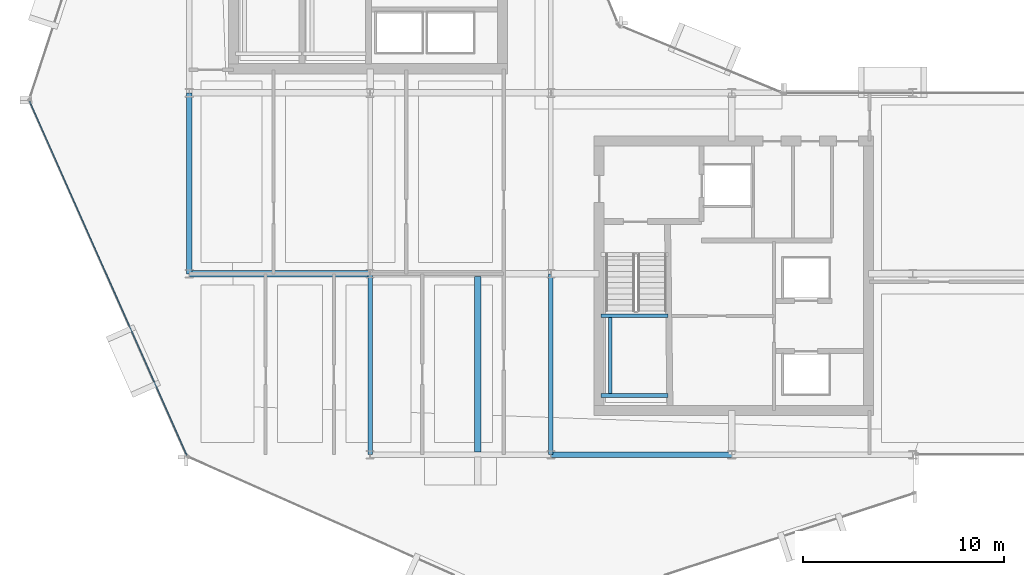
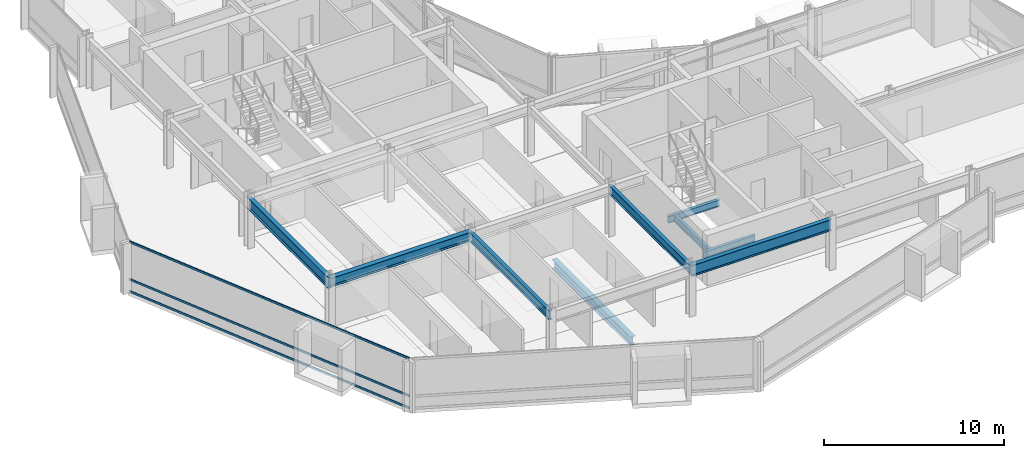
# One storey, part 5 of 28: 9 beams, 3 members, 1 element without a shape of its own.
"""IFC4 building model written with IfcOpenShell, lengths in metres."""

from ifc_helpers import new_model, si_unit, direction, frame, origin, origin_2d, place, context, subcontext, project, spatial, hollow_rectangle, i_section, extrude, material, layer, layer_set, material_profile, profile_set, type_object, element, aggregate, save


model = new_model("IFC4")

# Units and contexts
model_context = context("Model", 3, precision=1e-05, world=origin(), true_north=direction((0.0, 1.0)))
body_context = subcontext(model_context, "Body", "Model", "MODEL_VIEW")
ifc_project = project(units=[si_unit("LENGTHUNIT", "METRE"), si_unit("AREAUNIT", "SQUARE_METRE"), si_unit("VOLUMEUNIT", "CUBIC_METRE"), si_unit("PLANEANGLEUNIT", "RADIAN"), si_unit("MASSUNIT", "GRAM", prefix="KILO")], contexts=[model_context])

# Site, building, storey
site_placement = place(None, origin())
site = spatial("IfcSite", under=ifc_project, at=site_placement, CompositionType="ELEMENT")
building_placement = place(site_placement, origin())
building = spatial("IfcBuilding", under=site, at=building_placement, Name="Solvaryn Broadcast Tower", CompositionType="ELEMENT")
storey_placement = place(building_placement, frame((0.0, 0.0, 158.10009765625)))
storey = spatial("IfcBuildingStorey", under=building, at=storey_placement, Name="L39", CompositionType="ELEMENT", Elevation=158.10009765625)

# Beams
ifc_material_1 = material(Name="Steel ASTM A992 Grade 50", Category="steel")
ifc_material_profile_1 = material_profile(ifc_material_1, i_section(OverallWidth=0.323974609375, OverallDepth=0.611083984375, WebThickness=0.0126953125, FlangeThickness=0.01904296875, FilletRadius=0.014892578125, at=origin_2d()))
ifc_profile_set_1 = profile_set([ifc_material_profile_1], Name="Steel ASTM A992 Grade 50")
beam_type_1 = type_object("IfcBeamType", Name="BM-B1-W24X104", PredefinedType="BEAM", material=ifc_profile_set_1)
beam_1_placement = place(storey_placement, frame((23.35009765625, 17.875, -0.585693359375), z_axis=(0.0, -1.0, 0.0), x_axis=(1.0, 0.0, 0.0)))
element("IfcBeam", 1, at=beam_1_placement, inside=storey, type_object=beam_type_1, Name="L39 Bay-Box Back-Span Beam 1", PredefinedType="BEAM", context=body_context, shape_type="SweptSolid", body=[
    extrude(i_section(OverallWidth=0.323974609375, OverallDepth=0.611083984375, WebThickness=0.0126953125, FlangeThickness=0.01904296875, FilletRadius=0.014892578125, at=origin_2d()), origin(), (0.0, 0.0, 1.0), 8.75),
])
beam_2_placement = place(storey_placement, frame((9.0, 18.0, 3.114501953125), z_axis=(1.0, 0.0, 0.0), x_axis=(0.0, 1.0, 0.0)))
element("IfcBeam", 2, at=beam_2_placement, inside=storey, type_object=beam_type_1, Name="L39 Primary Beam X (9-18 @ Y=18)", PredefinedType="BEAM", context=body_context, shape_type="SweptSolid", body=[
    extrude(i_section(OverallWidth=0.323974609375, OverallDepth=0.611083984375, WebThickness=0.0126953125, FlangeThickness=0.01904296875, FilletRadius=0.014892578125, at=origin_2d()), origin(), (0.0, 0.0, 1.0), 9.0),
])
ifc_material_2 = material(Name="Steel ASTM A992 Grade 50", Category="steel")
ifc_material_profile_2 = material_profile(ifc_material_2, i_section(OverallWidth=0.22802734375, OverallDepth=0.60791015625, WebThickness=0.01123046875, FlangeThickness=0.017333984375, FilletRadius=0.014892578125, at=origin_2d()))
ifc_profile_set_2 = profile_set([ifc_material_profile_2], Name="Steel ASTM A992 Grade 50")
beam_type_2 = type_object("IfcBeamType", Name="BM-B2-W24X76", PredefinedType="BEAM", material=ifc_profile_set_2)
for number, where, z_axis, x_axis, name in (
    (3, (18.0, 9.0, 3.115966796875), (0.0, 1.0, 0.0), (-1.0, 0.0, 0.0), "L39 Primary Beam Y (9-18 @ X=18)"),
    (4, (27.0, 9.0, 3.115966796875), (0.0, 1.0, 0.0), (-1.0, 0.0, 0.0), "L39 Primary Beam Y (9-18 @ X=27)"),
):
    element("IfcBeam", number, at=place(storey_placement, frame(where, z_axis=z_axis, x_axis=x_axis)), inside=storey, type_object=beam_type_2, Name=name, PredefinedType="BEAM", context=body_context, shape_type="SweptSolid", body=[
        extrude(i_section(OverallWidth=0.22802734375, OverallDepth=0.60791015625, WebThickness=0.01123046875, FlangeThickness=0.017333984375, FilletRadius=0.014892578125, at=origin_2d()), origin(), (0.0, 0.0, 1.0), 9.0),
    ])
ifc_material_3 = material(Name="Steel ASTM A992 Grade 50", Category="steel")
ifc_material_profile_3 = material_profile(ifc_material_3, i_section(OverallWidth=0.18994140625, OverallDepth=0.45703125, WebThickness=0.009033203125, FlangeThickness=0.014404296875, FilletRadius=0.011962890625, at=origin_2d()))
ifc_profile_set_3 = profile_set([ifc_material_profile_3], Name="Steel ASTM A992 Grade 50")
beam_type_3 = type_object("IfcBeamType", Name="BM-B4-W18X50", PredefinedType="BEAM", material=ifc_profile_set_3)
for number, where, z_axis, x_axis, name in (
    (5, (29.5, 11.949951171875, 1.42138671875), (1.0, 0.0, 0.0), (0.0, 1.0, 0.0), "L39 ST3 Landing Support Beam 1A"),
    (6, (29.5, 15.909912109375, 1.42138671875), (1.0, 0.0, 0.0), (0.0, 1.0, 0.0), "L39 ST3 Landing Support Beam 1B"),
):
    element("IfcBeam", number, at=place(storey_placement, frame(where, z_axis=z_axis, x_axis=x_axis)), inside=storey, type_object=beam_type_3, Name=name, PredefinedType="BEAM", context=body_context, shape_type="SweptSolid", body=[
        extrude(i_section(OverallWidth=0.18994140625, OverallDepth=0.45703125, WebThickness=0.009033203125, FlangeThickness=0.014404296875, FilletRadius=0.011962890625, at=origin_2d()), origin(), (0.0, 0.0, 1.0), 3.320068359375),
    ])
beam_3_placement = place(storey_placement, frame((29.949951171875, 11.949951171875, 1.42138671875), z_axis=(0.0, 1.0, 0.0), x_axis=(-1.0, 0.0, 0.0)))
element("IfcBeam", 7, at=beam_3_placement, inside=storey, type_object=beam_type_3, Name="L39 ST3 Landing Cross Stringer 1C", PredefinedType="BEAM", context=body_context, shape_type="SweptSolid", body=[
    extrude(i_section(OverallWidth=0.18994140625, OverallDepth=0.45703125, WebThickness=0.009033203125, FlangeThickness=0.014404296875, FilletRadius=0.011962890625, at=origin_2d()), origin(), (0.0, 0.0, 1.0), 3.9599609375),
])
ifc_material_4 = material(Name="Steel ASTM A992 Grade 50", Category="steel")
ifc_material_profile_4 = material_profile(ifc_material_4, i_section(OverallWidth=0.26708984375, OverallDepth=0.76611328125, WebThickness=0.014892578125, FlangeThickness=0.023681640625, FilletRadius=0.01806640625, at=origin_2d()))
ifc_profile_set_4 = profile_set([ifc_material_profile_4], Name="Steel ASTM A992 Grade 50")
beam_type_4 = type_object("IfcBeamType", Name="BM-SP2-W30X124", PredefinedType="USERDEFINED", material=ifc_profile_set_4)
for number, where, z_axis, x_axis, name in (
    (8, (27.0, 9.0, 3.036865234375), (1.0, 0.0, 0.0), (0.0, 1.0, 0.0), "L39 Spandrel Beam X (27-36 @ Y=9)"),
    (9, (9.0, 18.0, 3.036865234375), (0.0, 1.0, 0.0), (-1.0, 0.0, 0.0), "L39 Spandrel Beam Y (18-27 @ X=9)"),
):
    element("IfcBeam", number, at=place(storey_placement, frame(where, z_axis=z_axis, x_axis=x_axis)), inside=storey, type_object=beam_type_4, Name=name, ObjectType="SPANDREL", PredefinedType="USERDEFINED", context=body_context, shape_type="SweptSolid", body=[
        extrude(i_section(OverallWidth=0.26708984375, OverallDepth=0.76611328125, WebThickness=0.014892578125, FlangeThickness=0.023681640625, FilletRadius=0.01806640625, at=origin_2d()), origin(), (0.0, 0.0, 1.0), 9.0),
    ])

# Curtain wall, members
ifc_material_5 = material(Name="Aluminium and Terracotta Unitised Curtain Wall", Category="masonry")
ifc_layer = layer(ifc_material_5, 0.199951171875)
ifc_layer_set = layer_set([ifc_layer], Name="CW-SYS2-LOWMID")
curtain_wall_type = type_object("IfcCurtainWallType", Name="CW-SYS2-LOWMID", PredefinedType="NOTDEFINED", material=ifc_layer_set)
curtain_wall_placement = place(storey_placement, origin())
curtain_wall = element("IfcCurtainWall", 10, at=curtain_wall_placement, inside=storey, type_object=curtain_wall_type, Name="L39 Curtain Wall DR2", PredefinedType="NOTDEFINED")
ifc_material_6 = material(Name="Anodised Aluminium 6063-T6", Category="aluminium")
ifc_material_profile_5 = material_profile(ifc_material_6, hollow_rectangle(XDim=0.06494140625, YDim=0.14990234375, WallThickness=0.00390625, InnerFilletRadius=0.00390625, OuterFilletRadius=0.008056640625, at=origin_2d()))
ifc_profile_set_5 = profile_set([ifc_material_profile_5], Name="Anodised Aluminium 6063-T6")
member_type = type_object("IfcMemberType", Name="CW-TRN-150", PredefinedType="USERDEFINED", material=ifc_profile_set_5)
member_1_placement = place(storey_placement, frame((1.058349609375, 26.5810546875, 0.02978515625), z_axis=(0.405917546252, -0.913909703223, 0.0), x_axis=(0.913909703223, 0.405917546252, 0.0)))
member_1 = element("IfcMember", 11, at=member_1_placement, type_object=member_type, Name="CWS2 transom 1.1", ObjectType="TRANSOM", PredefinedType="USERDEFINED", context=body_context, shape_type="SweptSolid", body=[
    extrude(hollow_rectangle(XDim=0.06494140625, YDim=0.14990234375, WallThickness=0.00390625, InnerFilletRadius=0.00390625, OuterFilletRadius=0.008056640625, at=origin_2d()), origin(), (0.0, 0.0, 1.0), 19.27783203125),
])
member_2_placement = place(storey_placement, frame((1.058349609375, 26.5810546875, 0.849853515625), z_axis=(0.405917546252, -0.913909703223, 0.0), x_axis=(0.913909703223, 0.405917546252, 0.0)))
member_2 = element("IfcMember", 12, at=member_2_placement, type_object=member_type, Name="CWS2 transom 1.2", ObjectType="TRANSOM", PredefinedType="USERDEFINED", context=body_context, shape_type="SweptSolid", body=[
    extrude(hollow_rectangle(XDim=0.06494140625, YDim=0.14990234375, WallThickness=0.00390625, InnerFilletRadius=0.00390625, OuterFilletRadius=0.008056640625, at=origin_2d()), origin(), (0.0, 0.0, 1.0), 19.27783203125),
])
member_3_placement = place(storey_placement, frame((1.058349609375, 26.5810546875, 3.389892578125), z_axis=(0.405917546252, -0.913909703223, 0.0), x_axis=(0.913909703223, 0.405917546252, 0.0)))
member_3 = element("IfcMember", 13, at=member_3_placement, type_object=member_type, Name="CWS2 transom 1.3", ObjectType="TRANSOM", PredefinedType="USERDEFINED", context=body_context, shape_type="SweptSolid", body=[
    extrude(hollow_rectangle(XDim=0.06494140625, YDim=0.14990234375, WallThickness=0.00390625, InnerFilletRadius=0.00390625, OuterFilletRadius=0.008056640625, at=origin_2d()), origin(), (0.0, 0.0, 1.0), 19.27783203125),
])
aggregate(curtain_wall, [member_1, member_2, member_3])

save(model, "model.ifc")
